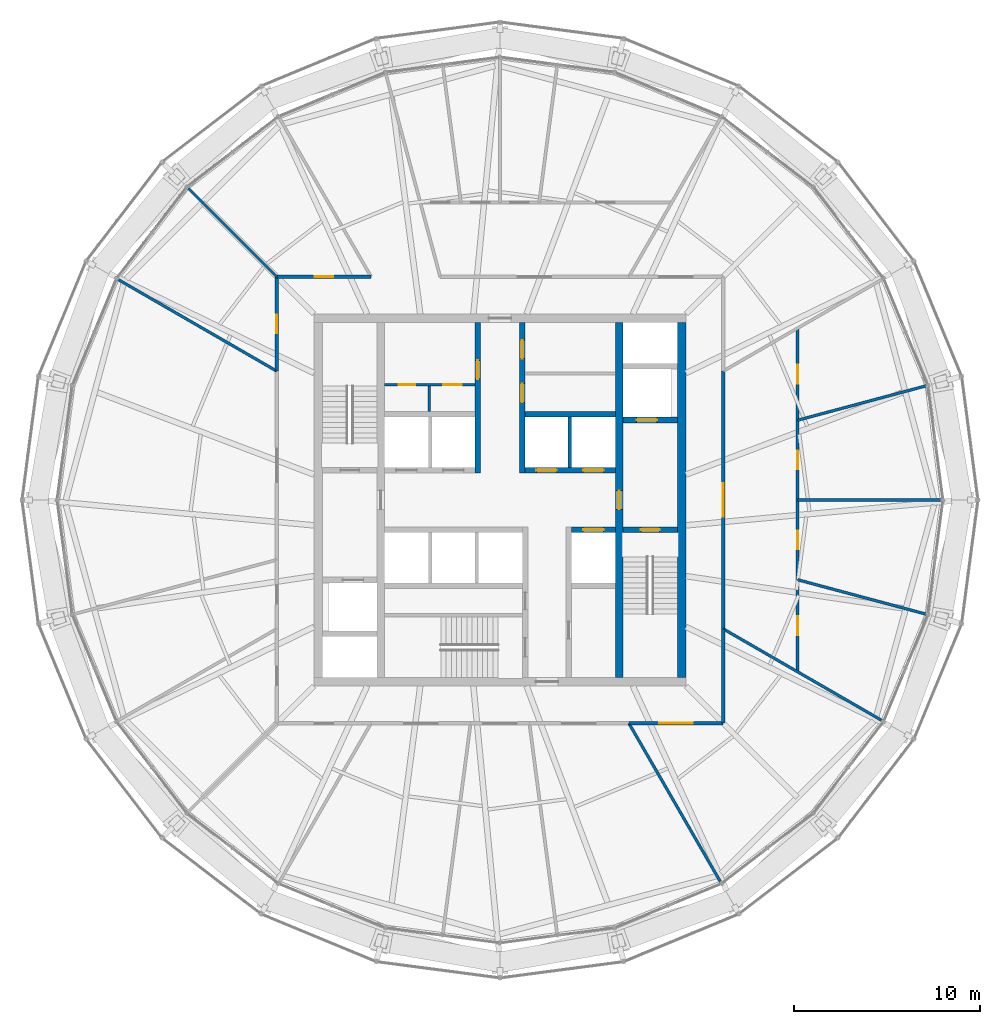
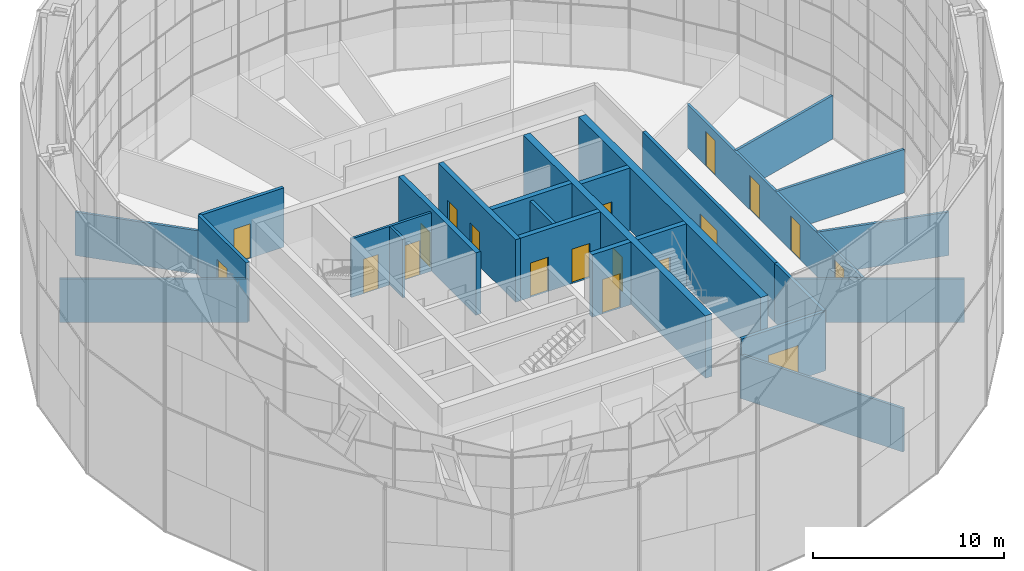
# One storey, part 26 of 28: 25 walls, 19 doors, 19 openings.
"""IFC4 building model written with IfcOpenShell, lengths in metres."""

from ifc_helpers import new_model, si_unit, direction, frame, frame_2d, origin, place, context, subcontext, project, spatial, rectangle, extrude, material, layer, layer_set, type_object, element, fill, save


model = new_model("IFC4")

# Units and contexts
model_context = context("Model", 3, precision=1e-05, world=origin(), true_north=direction((0.0, 1.0)))
body_context = subcontext(model_context, "Body", "Model", "MODEL_VIEW")
ifc_project = project(units=[si_unit("LENGTHUNIT", "METRE"), si_unit("AREAUNIT", "SQUARE_METRE"), si_unit("VOLUMEUNIT", "CUBIC_METRE"), si_unit("PLANEANGLEUNIT", "RADIAN"), si_unit("MASSUNIT", "GRAM", prefix="KILO")], contexts=[model_context])

# Site, building, storey
site_placement = place(None, origin())
site = spatial("IfcSite", under=ifc_project, at=site_placement, CompositionType="ELEMENT")
building_placement = place(site_placement, origin())
building = spatial("IfcBuilding", under=site, at=building_placement, Name="Golbaran Civic Tower", CompositionType="ELEMENT")
storey_placement = place(building_placement, frame((0.0, 0.0, 183.0)))
storey = spatial("IfcBuildingStorey", under=building, at=storey_placement, Name="L44", CompositionType="ELEMENT", Elevation=183.0)

# Wall, opening, door
ifc_material_1 = material(Name="Concrete C50/60", Category="concrete")
ifc_layer_1 = layer(ifc_material_1, 0.39990234375, Name="Concrete C50/60")
ifc_layer_set_1 = layer_set([ifc_layer_1], Name="Concrete C50/60")
wall_type_1 = type_object("IfcWallType", Name="CORE WALL CONCRETE 400", PredefinedType="SOLIDWALL", material=ifc_layer_set_1)
wall_1_placement = place(storey_placement, frame((6.39990234375, 9.550048828125, 0.0), z_axis=(0.0, 0.0, 1.0), x_axis=(0.0, -1.0, 0.0)))
wall_1 = element("IfcWall", 1, at=wall_1_placement, inside=storey, type_object=wall_type_1, Name="Core wall IE L44", PredefinedType="SOLIDWALL", context=body_context, shape_type="SweptSolid", body=[
    extrude(rectangle(XDim=19.10009765625, YDim=0.39990234375, at=frame_2d((9.550048828125, 0.0))), origin(), (0.0, 0.0, 1.0), 4.0),
])
opening_1_placement = place(wall_1_placement, frame((9.050048828125, 0.0, 0.0)))
opening_1 = element("IfcOpeningElement", 2, at=opening_1_placement, cuts=wall_1, Name="Opening L44.FL2", PredefinedType="OPENING", context=body_context, shape_type="SweptSolid", body=[
    extrude(rectangle(XDim=1.0, YDim=2.199951171875, at=frame_2d((0.5, 1.10009765625))), frame((0.0, 0.2099609375, 0.0), z_axis=(0.0, -1.0, 0.0), x_axis=(1.0, 0.0, 0.0)), (0.0, 0.0, 1.0), 0.419921875),
])
ifc_material_2 = material(Name="Timber door set in steel frame", Category="steel")
door_type_1 = type_object("IfcDoorType", Name="STAIR DOOR 1000x2200", OperationType="SINGLE_SWING_LEFT", PredefinedType="DOOR", material=ifc_material_2)
door_1_placement = place(opening_1_placement, origin())
door_1 = element("IfcDoor", 3, at=door_1_placement, inside=storey, type_object=door_type_1, Name="Fire-fighting lobby FL2 door", OperationType="SINGLE_SWING_RIGHT", OverallHeight=2.199951171875, OverallWidth=1.0, PredefinedType="DOOR", context=body_context, shape_type="SweptSolid", body=[
    extrude(rectangle(XDim=1.0, YDim=2.199951171875, at=frame_2d((0.5, 1.10009765625))), frame((0.0, 0.02490234375, 0.0), z_axis=(0.0, -1.0, 0.0), x_axis=(1.0, 0.0, 0.0)), (0.0, 0.0, 1.0), 0.050048828125),
])
fill(opening_1, door_1)

# Wall
ifc_layer_2 = layer(ifc_material_1, 0.449951171875, Name="Concrete C50/60")
ifc_layer_set_2 = layer_set([ifc_layer_2], Name="Concrete C50/60")
wall_type_2 = type_object("IfcWallType", Name="CORE WALL CONCRETE 450", PredefinedType="SOLIDWALL", material=ifc_layer_set_2)
wall_2_placement = place(storey_placement, frame((9.77490234375, -9.550048828125, 0.0), z_axis=(0.0, 0.0, 1.0), x_axis=(0.0, 1.0, 0.0)))
element("IfcWall", 4, at=wall_2_placement, inside=storey, type_object=wall_type_2, Name="Core wall CE L44", PredefinedType="SOLIDWALL", context=body_context, shape_type="SweptSolid", body=[
    extrude(rectangle(XDim=19.10009765625, YDim=0.449951171875, at=frame_2d((9.550048828125, 0.0))), origin(), (0.0, 0.0, 1.0), 4.0),
])

# Wall, opening, door
ifc_material_3 = material(Name="Gypsum board on steel studs, fire-rated", Category="steel")
ifc_layer_3 = layer(ifc_material_3, 0.199951171875, Name="Gypsum board on steel studs, fire-rated")
ifc_layer_set_3 = layer_set([ifc_layer_3], Name="Gypsum board on steel studs, fire-rated")
wall_type_3 = type_object("IfcWallType", Name="CORRIDOR WALL 200", PredefinedType="PARTITIONING", material=ifc_layer_set_3)
wall_3_placement = place(storey_placement, frame((12.0, -6.92822265625, 0.0), z_axis=(0.0, 0.0, 1.0), x_axis=(0.0, 1.0, 0.0)))
wall_3 = element("IfcWall", 5, at=wall_3_placement, inside=storey, type_object=wall_type_3, Name="Corridor wall L44", PredefinedType="PARTITIONING", context=body_context, shape_type="SweptSolid", body=[
    extrude(rectangle(XDim=13.8564453125, YDim=0.199951171875, at=frame_2d((6.92822265625, 0.0))), origin(), (0.0, 0.0, 1.0), 3.800048828125),
])
opening_2_placement = place(wall_3_placement, frame((6.0283203125, 0.0, 0.0)))
opening_2 = element("IfcOpeningElement", 6, at=opening_2_placement, cuts=wall_3, Name="Opening L44.09", PredefinedType="OPENING", context=body_context, shape_type="SweptSolid", body=[
    extrude(rectangle(XDim=1.800048828125, YDim=2.199951171875, at=frame_2d((0.89990234375, 1.10009765625))), frame((0.0, 0.10986328125, 0.0), z_axis=(0.0, -1.0, 0.0), x_axis=(1.0, 0.0, 0.0)), (0.0, 0.0, 1.0), 0.219970703125),
])
door_type_2 = type_object("IfcDoorType", Name="OFFICE DOUBLE DOOR 1800x2200", OperationType="DOUBLE_DOOR_SINGLE_SWING", PredefinedType="DOOR", material=ifc_material_2)
door_2_placement = place(opening_2_placement, origin())
door_2 = element("IfcDoor", 7, at=door_2_placement, inside=storey, type_object=door_type_2, Name="Open Office door L44", OperationType="DOUBLE_DOOR_SINGLE_SWING", OverallHeight=2.199951171875, OverallWidth=1.800048828125, PredefinedType="DOOR", context=body_context, shape_type="SweptSolid", body=[
    extrude(rectangle(XDim=1.800048828125, YDim=2.199951171875, at=frame_2d((0.89990234375, 1.10009765625))), frame((0.0, 0.02490234375, 0.0), z_axis=(0.0, -1.0, 0.0), x_axis=(1.0, 0.0, 0.0)), (0.0, 0.0, 1.0), 0.050048828125),
])
fill(opening_2, door_2)

wall_4_placement = place(storey_placement, frame((-6.92822265625, 12.0, 0.0), z_axis=(0.0, 0.0, 1.0), x_axis=(-1.0, 0.0, 0.0)))
wall_4 = element("IfcWall", 8, at=wall_4_placement, inside=storey, type_object=wall_type_3, Name="Corridor wall L44", PredefinedType="PARTITIONING", context=body_context, shape_type="SweptSolid", body=[
    extrude(rectangle(XDim=5.07177734375, YDim=0.199951171875, at=frame_2d((2.535888671875, 0.0))), origin(), (0.0, 0.0, 1.0), 3.800048828125),
])
opening_3_placement = place(wall_4_placement, frame((2.035888671875, 0.0, 0.0)))
opening_3 = element("IfcOpeningElement", 9, at=opening_3_placement, cuts=wall_4, Name="Opening L44.12", PredefinedType="OPENING", context=body_context, shape_type="SweptSolid", body=[
    extrude(rectangle(XDim=1.0, YDim=2.199951171875, at=frame_2d((0.5, 1.10009765625))), frame((0.0, 0.10986328125, 0.0), z_axis=(0.0, -1.0, 0.0), x_axis=(1.0, 0.0, 0.0)), (0.0, 0.0, 1.0), 0.219970703125),
])
door_type_3 = type_object("IfcDoorType", Name="OFFICE DOOR 1000x2200", OperationType="SINGLE_SWING_LEFT", PredefinedType="DOOR", material=ifc_material_2)
door_3_placement = place(opening_3_placement, origin())
door_3 = element("IfcDoor", 10, at=door_3_placement, inside=storey, type_object=door_type_3, Name="Meeting Room door L44", OperationType="SINGLE_SWING_RIGHT", OverallHeight=2.199951171875, OverallWidth=1.0, PredefinedType="DOOR", context=body_context, shape_type="SweptSolid", body=[
    extrude(rectangle(XDim=1.0, YDim=2.199951171875, at=frame_2d((0.5, 1.10009765625))), frame((0.0, 0.02490234375, 0.0), z_axis=(0.0, -1.0, 0.0), x_axis=(1.0, 0.0, 0.0)), (0.0, 0.0, 1.0), 0.050048828125),
])
fill(opening_3, door_3)

wall_5_placement = place(storey_placement, frame((-12.0, 12.0, 0.0), z_axis=(0.0, 0.0, 1.0), x_axis=(0.0, -1.0, 0.0)))
wall_5 = element("IfcWall", 11, at=wall_5_placement, inside=storey, type_object=wall_type_3, Name="Corridor wall L44", PredefinedType="PARTITIONING", context=body_context, shape_type="SweptSolid", body=[
    extrude(rectangle(XDim=5.07177734375, YDim=0.199951171875, at=frame_2d((2.535888671875, 0.0))), origin(), (0.0, 0.0, 1.0), 3.800048828125),
])
opening_4_placement = place(wall_5_placement, frame((2.035888671875, 0.0, 0.0)))
opening_4 = element("IfcOpeningElement", 12, at=opening_4_placement, cuts=wall_5, Name="Opening L44.13", PredefinedType="OPENING", context=body_context, shape_type="SweptSolid", body=[
    extrude(rectangle(XDim=1.0, YDim=2.199951171875, at=frame_2d((0.5, 1.10009765625))), frame((0.0, 0.10986328125, 0.0), z_axis=(0.0, -1.0, 0.0), x_axis=(1.0, 0.0, 0.0)), (0.0, 0.0, 1.0), 0.219970703125),
])
door_4_placement = place(opening_4_placement, origin())
door_4 = element("IfcDoor", 13, at=door_4_placement, inside=storey, type_object=door_type_3, Name="Print and Copy Room door L44", OperationType="SINGLE_SWING_RIGHT", OverallHeight=2.199951171875, OverallWidth=1.0, PredefinedType="DOOR", context=body_context, shape_type="SweptSolid", body=[
    extrude(rectangle(XDim=1.0, YDim=2.199951171875, at=frame_2d((0.5, 1.10009765625))), frame((0.0, 0.02490234375, 0.0), z_axis=(0.0, -1.0, 0.0), x_axis=(1.0, 0.0, 0.0)), (0.0, 0.0, 1.0), 0.050048828125),
])
fill(opening_4, door_4)

wall_6_placement = place(storey_placement, frame((6.92822265625, -12.0, 0.0), z_axis=(0.0, 0.0, 1.0), x_axis=(1.0, 0.0, 0.0)))
wall_6 = element("IfcWall", 14, at=wall_6_placement, inside=storey, type_object=wall_type_3, Name="Corridor wall L44", PredefinedType="PARTITIONING", context=body_context, shape_type="SweptSolid", body=[
    extrude(rectangle(XDim=5.07177734375, YDim=0.199951171875, at=frame_2d((2.535888671875, 0.0))), origin(), (0.0, 0.0, 1.0), 3.800048828125),
])
opening_5_placement = place(wall_6_placement, frame((1.635986328125, 0.0, 0.0)))
opening_5 = element("IfcOpeningElement", 15, at=opening_5_placement, cuts=wall_6, Name="Opening L44.21", PredefinedType="OPENING", context=body_context, shape_type="SweptSolid", body=[
    extrude(rectangle(XDim=1.800048828125, YDim=2.199951171875, at=frame_2d((0.89990234375, 1.10009765625))), frame((0.0, 0.10986328125, 0.0), z_axis=(0.0, -1.0, 0.0), x_axis=(1.0, 0.0, 0.0)), (0.0, 0.0, 1.0), 0.219970703125),
])
door_5_placement = place(opening_5_placement, origin())
door_5 = element("IfcDoor", 16, at=door_5_placement, inside=storey, type_object=door_type_2, Name="Open Office door L44", OperationType="DOUBLE_DOOR_SINGLE_SWING", OverallHeight=2.199951171875, OverallWidth=1.800048828125, PredefinedType="DOOR", context=body_context, shape_type="SweptSolid", body=[
    extrude(rectangle(XDim=1.800048828125, YDim=2.199951171875, at=frame_2d((0.89990234375, 1.10009765625))), frame((0.0, 0.02490234375, 0.0), z_axis=(0.0, -1.0, 0.0), x_axis=(1.0, 0.0, 0.0)), (0.0, 0.0, 1.0), 0.050048828125),
])
fill(opening_5, door_5)

# Walls
wall_7_placement = place(storey_placement, frame((12.0, -12.0, 0.0), z_axis=(0.0, 0.0, 1.0), x_axis=(0.0, 1.0, 0.0)))
element("IfcWall", 17, at=wall_7_placement, inside=storey, type_object=wall_type_3, Name="Corridor wall L44", PredefinedType="PARTITIONING", context=body_context, shape_type="SweptSolid", body=[
    extrude(rectangle(XDim=5.07177734375, YDim=0.199951171875, at=frame_2d((2.535888671875, 0.0))), origin(), (0.0, 0.0, 1.0), 3.800048828125),
])
ifc_material_4 = material(Name="Concrete block", Category="concrete")
ifc_layer_4 = layer(ifc_material_4, 0.199951171875, Name="Concrete block")
ifc_layer_set_4 = layer_set([ifc_layer_4], Name="Concrete block")
wall_type_4 = type_object("IfcWallType", Name="LIFT SEPARATOR WALL 200", PredefinedType="SOLIDWALL", material=ifc_layer_set_4)
wall_8_placement = place(storey_placement, frame((3.75, 1.75, 0.0), z_axis=(0.0, 0.0, 1.0), x_axis=(0.0, 1.0, 0.0)))
element("IfcWall", 18, at=wall_8_placement, inside=storey, type_object=wall_type_4, Name="Core partition SNE L44", PredefinedType="SOLIDWALL", context=body_context, shape_type="SweptSolid", body=[
    extrude(rectangle(XDim=2.699951171875, YDim=0.199951171875, at=frame_2d((1.35009765625, 0.0))), origin(), (0.0, 0.0, 1.0), 3.75),
])
ifc_material_5 = material(Name="Gypsum board on steel studs", Category="steel")
ifc_layer_5 = layer(ifc_material_5, 0.14990234375, Name="Gypsum board on steel studs")
ifc_layer_set_5 = layer_set([ifc_layer_5], Name="Gypsum board on steel studs")
wall_type_5 = type_object("IfcWallType", Name="OFFICE PARTITION 150", PredefinedType="PARTITIONING", material=ifc_layer_set_5)
wall_9_placement = place(storey_placement, frame((12.0, -6.92822265625, 0.0), z_axis=(0.0, 0.0, 1.0), x_axis=(0.866027739639, -0.49999595416, 0.0)))
element("IfcWall", 19, at=wall_9_placement, inside=storey, type_object=wall_type_5, Name="Partition 330 L44", PredefinedType="PARTITIONING", context=body_context, shape_type="SweptSolid", body=[
    extrude(rectangle(XDim=9.86474609375, YDim=0.14990234375, at=frame_2d((4.932373046875, 0.0))), origin(), (0.0, 0.0, 1.0), 2.7900390625),
])
wall_10_placement = place(storey_placement, frame((-12.0, 12.0, 0.0), z_axis=(0.0, 0.0, 1.0), x_axis=(-0.707106781187, 0.707106781187, 0.0)))
element("IfcWall", 20, at=wall_10_placement, inside=storey, type_object=wall_type_5, Name="Partition 135 L44", PredefinedType="PARTITIONING", context=body_context, shape_type="SweptSolid", body=[
    extrude(rectangle(XDim=6.750732421875, YDim=0.14990234375, at=frame_2d((3.37548828125, 0.0))), origin(), (0.0, 0.0, 1.0), 2.7900390625),
])
for number, where, z_axis, x_axis, name in (
    (21, (-12.0, 6.92822265625, 0.0), (0.0, 0.0, 1.0), (-0.866027739639, 0.49999595416, 0.0), "Partition 150 L44"),
    (22, (6.92822265625, -12.0, 0.0), (0.0, 0.0, 1.0), (0.49999595416, -0.866027739639, 0.0), "Partition 300 L44"),
):
    element("IfcWall", number, at=place(storey_placement, frame(where, z_axis=z_axis, x_axis=x_axis)), inside=storey, type_object=wall_type_5, Name=name, PredefinedType="PARTITIONING", context=body_context, shape_type="SweptSolid", body=[
        extrude(rectangle(XDim=9.86474609375, YDim=0.14990234375, at=frame_2d((4.932373046875, 0.0))), origin(), (0.0, 0.0, 1.0), 2.7900390625),
    ])

# Wall, openings, doors
wall_11_placement = place(storey_placement, frame((16.0, -9.237548828125, 0.0), z_axis=(0.0, 0.0, 1.0), x_axis=(0.0, 1.0, 0.0)))
wall_11 = element("IfcWall", 23, at=wall_11_placement, inside=storey, type_object=wall_type_5, Name="Suite partition L44", PredefinedType="PARTITIONING", context=body_context, shape_type="SweptSolid", body=[
    extrude(rectangle(XDim=18.47509765625, YDim=0.14990234375, at=frame_2d((9.237548828125, 0.0))), origin(), (0.0, 0.0, 1.0), 2.7900390625),
])
opening_6_placement = place(wall_11_placement, frame((1.97509765625, 0.0, 0.0)))
opening_6 = element("IfcOpeningElement", 24, at=opening_6_placement, cuts=wall_11, Name="Opening L44.01", PredefinedType="OPENING", context=body_context, shape_type="SweptSolid", body=[
    extrude(rectangle(XDim=1.0, YDim=2.199951171875, at=frame_2d((0.5, 1.10009765625))), frame((0.0, 0.0849609375, 0.0), z_axis=(0.0, -1.0, 0.0), x_axis=(1.0, 0.0, 0.0)), (0.0, 0.0, 1.0), 0.169921875),
])
opening_7_placement = place(wall_11_placement, frame((6.593994140625, 0.0, 0.0)))
opening_7 = element("IfcOpeningElement", 25, at=opening_7_placement, cuts=wall_11, Name="Opening L44.02", PredefinedType="OPENING", context=body_context, shape_type="SweptSolid", body=[
    extrude(rectangle(XDim=1.0, YDim=2.199951171875, at=frame_2d((0.5, 1.10009765625))), frame((0.0, 0.0849609375, 0.0), z_axis=(0.0, -1.0, 0.0), x_axis=(1.0, 0.0, 0.0)), (0.0, 0.0, 1.0), 0.169921875),
])
opening_8_placement = place(wall_11_placement, frame((10.881103515625, 0.0, 0.0)))
opening_8 = element("IfcOpeningElement", 26, at=opening_8_placement, cuts=wall_11, Name="Opening L44.03", PredefinedType="OPENING", context=body_context, shape_type="SweptSolid", body=[
    extrude(rectangle(XDim=1.0, YDim=2.199951171875, at=frame_2d((0.5, 1.10009765625))), frame((0.0, 0.0849609375, 0.0), z_axis=(0.0, -1.0, 0.0), x_axis=(1.0, 0.0, 0.0)), (0.0, 0.0, 1.0), 0.169921875),
])
opening_9_placement = place(wall_11_placement, frame((15.5, 0.0, 0.0)))
opening_9 = element("IfcOpeningElement", 27, at=opening_9_placement, cuts=wall_11, Name="Opening L44.04", PredefinedType="OPENING", context=body_context, shape_type="SweptSolid", body=[
    extrude(rectangle(XDim=1.0, YDim=2.199951171875, at=frame_2d((0.5, 1.10009765625))), frame((0.0, 0.0849609375, 0.0), z_axis=(0.0, -1.0, 0.0), x_axis=(1.0, 0.0, 0.0)), (0.0, 0.0, 1.0), 0.169921875),
])
door_6_placement = place(opening_6_placement, origin())
door_6 = element("IfcDoor", 28, at=door_6_placement, inside=storey, type_object=door_type_3, Name="Office door L44", OperationType="SINGLE_SWING_LEFT", OverallHeight=2.199951171875, OverallWidth=1.0, PredefinedType="DOOR", context=body_context, shape_type="SweptSolid", body=[
    extrude(rectangle(XDim=1.0, YDim=2.199951171875, at=frame_2d((0.5, 1.10009765625))), frame((0.0, 0.02490234375, 0.0), z_axis=(0.0, -1.0, 0.0), x_axis=(1.0, 0.0, 0.0)), (0.0, 0.0, 1.0), 0.050048828125),
])
fill(opening_6, door_6)
door_7_placement = place(opening_7_placement, origin())
door_7 = element("IfcDoor", 29, at=door_7_placement, inside=storey, type_object=door_type_3, Name="Project Room door L44", OperationType="SINGLE_SWING_LEFT", OverallHeight=2.199951171875, OverallWidth=1.0, PredefinedType="DOOR", context=body_context, shape_type="SweptSolid", body=[
    extrude(rectangle(XDim=1.0, YDim=2.199951171875, at=frame_2d((0.5, 1.10009765625))), frame((0.0, 0.02490234375, 0.0), z_axis=(0.0, -1.0, 0.0), x_axis=(1.0, 0.0, 0.0)), (0.0, 0.0, 1.0), 0.050048828125),
])
fill(opening_7, door_7)
door_8_placement = place(opening_8_placement, origin())
door_8 = element("IfcDoor", 30, at=door_8_placement, inside=storey, type_object=door_type_3, Name="Office door L44", OperationType="SINGLE_SWING_RIGHT", OverallHeight=2.199951171875, OverallWidth=1.0, PredefinedType="DOOR", context=body_context, shape_type="SweptSolid", body=[
    extrude(rectangle(XDim=1.0, YDim=2.199951171875, at=frame_2d((0.5, 1.10009765625))), frame((0.0, 0.02490234375, 0.0), z_axis=(0.0, -1.0, 0.0), x_axis=(1.0, 0.0, 0.0)), (0.0, 0.0, 1.0), 0.050048828125),
])
fill(opening_8, door_8)
door_9_placement = place(opening_9_placement, origin())
door_9 = element("IfcDoor", 31, at=door_9_placement, inside=storey, type_object=door_type_3, Name="Meeting Room door L44", OperationType="SINGLE_SWING_RIGHT", OverallHeight=2.199951171875, OverallWidth=1.0, PredefinedType="DOOR", context=body_context, shape_type="SweptSolid", body=[
    extrude(rectangle(XDim=1.0, YDim=2.199951171875, at=frame_2d((0.5, 1.10009765625))), frame((0.0, 0.02490234375, 0.0), z_axis=(0.0, -1.0, 0.0), x_axis=(1.0, 0.0, 0.0)), (0.0, 0.0, 1.0), 0.050048828125),
])
fill(opening_9, door_9)

# Walls
wall_12_placement = place(storey_placement, frame((16.0, -4.287109375, 0.0), z_axis=(0.0, 0.0, 1.0), x_axis=(0.965925667522, -0.25881963763, 0.0)))
element("IfcWall", 32, at=wall_12_placement, inside=storey, type_object=wall_type_5, Name="Partition 345 L44", PredefinedType="PARTITIONING", context=body_context, shape_type="SweptSolid", body=[
    extrude(rectangle(XDim=7.15673828125, YDim=0.14990234375, at=frame_2d((3.578369140625, 0.0))), origin(), (0.0, 0.0, 1.0), 2.7900390625),
])
wall_13_placement = place(storey_placement, frame((16.0, 0.0, 0.0), z_axis=(0.0, 0.0, 1.0), x_axis=(1.0, 0.0, 0.0)))
element("IfcWall", 33, at=wall_13_placement, inside=storey, type_object=wall_type_5, Name="Partition 0 L44", PredefinedType="PARTITIONING", context=body_context, shape_type="SweptSolid", body=[
    extrude(rectangle(XDim=7.72119140625, YDim=0.14990234375, at=frame_2d((3.860595703125, 0.0))), origin(), (0.0, 0.0, 1.0), 2.7900390625),
])
wall_14_placement = place(storey_placement, frame((16.0, 4.287109375, 0.0), z_axis=(0.0, 0.0, 1.0), x_axis=(0.965925667522, 0.25881963763, 0.0)))
element("IfcWall", 34, at=wall_14_placement, inside=storey, type_object=wall_type_5, Name="Partition 15 L44", PredefinedType="PARTITIONING", context=body_context, shape_type="SweptSolid", body=[
    extrude(rectangle(XDim=7.15673828125, YDim=0.14990234375, at=frame_2d((3.578369140625, 0.0))), origin(), (0.0, 0.0, 1.0), 2.7900390625),
])

# Wall, openings, doors
ifc_layer_6 = layer(ifc_material_1, 0.300048828125, Name="Concrete C50/60")
ifc_layer_set_6 = layer_set([ifc_layer_6], Name="Concrete C50/60")
wall_type_6 = type_object("IfcWallType", Name="SHAFT WALL CONCRETE 300", PredefinedType="SOLIDWALL", material=ifc_layer_set_6)
wall_15_placement = place(storey_placement, frame((1.35009765625, 1.60009765625, 0.0), z_axis=(0.0, 0.0, 1.0), x_axis=(1.0, 0.0, 0.0)))
wall_15 = element("IfcWall", 35, at=wall_15_placement, inside=storey, type_object=wall_type_6, Name="Core wall FNE L44", PredefinedType="SOLIDWALL", context=body_context, shape_type="SweptSolid", body=[
    extrude(rectangle(XDim=4.849853515625, YDim=0.300048828125, at=frame_2d((2.4248046875, 0.0))), origin(), (0.0, 0.0, 1.0), 4.0),
])
opening_10_placement = place(wall_15_placement, frame((0.60009765625, 0.0, 0.0)))
opening_10 = element("IfcOpeningElement", 36, at=opening_10_placement, cuts=wall_15, Name="Opening L44.LD-Z3H", PredefinedType="OPENING", context=body_context, shape_type="SweptSolid", body=[
    extrude(rectangle(XDim=1.10009765625, YDim=2.199951171875, at=frame_2d((0.550048828125, 1.10009765625))), frame((0.0, 0.159912109375, 0.0), z_axis=(0.0, -1.0, 0.0), x_axis=(1.0, 0.0, 0.0)), (0.0, 0.0, 1.0), 0.320068359375),
])
opening_11_placement = place(wall_15_placement, frame((3.125, 0.0, 0.0)))
opening_11 = element("IfcOpeningElement", 37, at=opening_11_placement, cuts=wall_15, Name="Opening L44.LD-Z4H", PredefinedType="OPENING", context=body_context, shape_type="SweptSolid", body=[
    extrude(rectangle(XDim=1.10009765625, YDim=2.199951171875, at=frame_2d((0.550048828125, 1.10009765625))), frame((0.0, 0.159912109375, 0.0), z_axis=(0.0, -1.0, 0.0), x_axis=(1.0, 0.0, 0.0)), (0.0, 0.0, 1.0), 0.320068359375),
])
ifc_material_6 = material(Name="Stainless steel", Category="steel")
door_type_4 = type_object("IfcDoorType", Name="LIFT LANDING DOOR 1100x2200", OperationType="SLIDING_TO_LEFT", PredefinedType="DOOR", material=ifc_material_6)
door_10_placement = place(opening_10_placement, origin())
door_10 = element("IfcDoor", 38, at=door_10_placement, inside=storey, type_object=door_type_4, Name="Lift landing door Z3H", OperationType="SLIDING_TO_LEFT", OverallHeight=2.199951171875, OverallWidth=1.10009765625, PredefinedType="DOOR", context=body_context, shape_type="SweptSolid", body=[
    extrude(rectangle(XDim=1.10009765625, YDim=2.199951171875, at=frame_2d((0.550048828125, 1.10009765625))), frame((0.0, 0.02490234375, 0.0), z_axis=(0.0, -1.0, 0.0), x_axis=(1.0, 0.0, 0.0)), (0.0, 0.0, 1.0), 0.050048828125),
])
fill(opening_10, door_10)
door_11_placement = place(opening_11_placement, origin())
door_11 = element("IfcDoor", 39, at=door_11_placement, inside=storey, type_object=door_type_4, Name="Lift landing door Z4H", OperationType="SLIDING_TO_LEFT", OverallHeight=2.199951171875, OverallWidth=1.10009765625, PredefinedType="DOOR", context=body_context, shape_type="SweptSolid", body=[
    extrude(rectangle(XDim=1.10009765625, YDim=2.199951171875, at=frame_2d((0.550048828125, 1.10009765625))), frame((0.0, 0.02490234375, 0.0), z_axis=(0.0, -1.0, 0.0), x_axis=(1.0, 0.0, 0.0)), (0.0, 0.0, 1.0), 0.050048828125),
])
fill(opening_11, door_11)

# Wall
wall_16_placement = place(storey_placement, frame((1.35009765625, 4.60009765625, 0.0), z_axis=(0.0, 0.0, 1.0), x_axis=(1.0, 0.0, 0.0)))
element("IfcWall", 40, at=wall_16_placement, inside=storey, type_object=wall_type_6, Name="Core wall BNE L44", PredefinedType="SOLIDWALL", context=body_context, shape_type="SweptSolid", body=[
    extrude(rectangle(XDim=4.849853515625, YDim=0.300048828125, at=frame_2d((2.4248046875, 0.0))), origin(), (0.0, 0.0, 1.0), 4.0),
])

# Wall, opening, door
wall_17_placement = place(storey_placement, frame((-1.199951171875, 1.449951171875, 0.0), z_axis=(0.0, 0.0, 1.0), x_axis=(0.0, 1.0, 0.0)))
wall_17 = element("IfcWall", 41, at=wall_17_placement, inside=storey, type_object=wall_type_6, Name="Core wall PNW L44", PredefinedType="SOLIDWALL", context=body_context, shape_type="SweptSolid", body=[
    extrude(rectangle(XDim=8.10009765625, YDim=0.300048828125, at=frame_2d((4.050048828125, 0.0))), origin(), (0.0, 0.0, 1.0), 4.0),
])
opening_12_placement = place(wall_17_placement, frame((5.050048828125, 0.0, 0.0)))
opening_12 = element("IfcOpeningElement", 42, at=opening_12_placement, cuts=wall_17, Name="Opening L44.WCM", PredefinedType="OPENING", context=body_context, shape_type="SweptSolid", body=[
    extrude(rectangle(XDim=1.0, YDim=2.199951171875, at=frame_2d((0.5, 1.10009765625))), frame((0.0, 0.159912109375, 0.0), z_axis=(0.0, -1.0, 0.0), x_axis=(1.0, 0.0, 0.0)), (0.0, 0.0, 1.0), 0.320068359375),
])
door_type_5 = type_object("IfcDoorType", Name="TOILET DOOR 1000x2200", OperationType="SINGLE_SWING_LEFT", PredefinedType="DOOR", material=ifc_material_2)
door_12_placement = place(opening_12_placement, origin())
door_12 = element("IfcDoor", 43, at=door_12_placement, inside=storey, type_object=door_type_5, Name="North-west toilet block door", OperationType="SINGLE_SWING_RIGHT", OverallHeight=2.199951171875, OverallWidth=1.0, PredefinedType="DOOR", context=body_context, shape_type="SweptSolid", body=[
    extrude(rectangle(XDim=1.0, YDim=2.199951171875, at=frame_2d((0.5, 1.10009765625))), frame((0.0, 0.02490234375, 0.0), z_axis=(0.0, -1.0, 0.0), x_axis=(1.0, 0.0, 0.0)), (0.0, 0.0, 1.0), 0.050048828125),
])
fill(opening_12, door_12)

# Wall, openings, doors
wall_18_placement = place(storey_placement, frame((1.199951171875, 1.449951171875, 0.0), z_axis=(0.0, 0.0, 1.0), x_axis=(0.0, 1.0, 0.0)))
wall_18 = element("IfcWall", 44, at=wall_18_placement, inside=storey, type_object=wall_type_6, Name="Core wall PNE L44", PredefinedType="SOLIDWALL", context=body_context, shape_type="SweptSolid", body=[
    extrude(rectangle(XDim=8.10009765625, YDim=0.300048828125, at=frame_2d((4.050048828125, 0.0))), origin(), (0.0, 0.0, 1.0), 4.0),
])
opening_13_placement = place(wall_18_placement, frame((3.800048828125, 0.0, 0.0)))
opening_13 = element("IfcOpeningElement", 45, at=opening_13_placement, cuts=wall_18, Name="Opening L44.WCA", PredefinedType="OPENING", context=body_context, shape_type="SweptSolid", body=[
    extrude(rectangle(XDim=1.0, YDim=2.199951171875, at=frame_2d((0.5, 1.10009765625))), frame((0.0, 0.159912109375, 0.0), z_axis=(0.0, -1.0, 0.0), x_axis=(1.0, 0.0, 0.0)), (0.0, 0.0, 1.0), 0.320068359375),
])
opening_14_placement = place(wall_18_placement, frame((6.14990234375, 0.0, 0.0)))
opening_14 = element("IfcOpeningElement", 46, at=opening_14_placement, cuts=wall_18, Name="Opening L44.WCF", PredefinedType="OPENING", context=body_context, shape_type="SweptSolid", body=[
    extrude(rectangle(XDim=1.0, YDim=2.199951171875, at=frame_2d((0.5, 1.10009765625))), frame((0.0, 0.159912109375, 0.0), z_axis=(0.0, -1.0, 0.0), x_axis=(1.0, 0.0, 0.0)), (0.0, 0.0, 1.0), 0.320068359375),
])
door_13_placement = place(opening_13_placement, origin())
door_13 = element("IfcDoor", 47, at=door_13_placement, inside=storey, type_object=door_type_5, Name="Accessible WC door", OperationType="SINGLE_SWING_RIGHT", OverallHeight=2.199951171875, OverallWidth=1.0, PredefinedType="DOOR", context=body_context, shape_type="SweptSolid", body=[
    extrude(rectangle(XDim=1.0, YDim=2.199951171875, at=frame_2d((0.5, 1.10009765625))), frame((0.0, 0.02490234375, 0.0), z_axis=(0.0, -1.0, 0.0), x_axis=(1.0, 0.0, 0.0)), (0.0, 0.0, 1.0), 0.050048828125),
])
fill(opening_13, door_13)
door_14_placement = place(opening_14_placement, origin())
door_14 = element("IfcDoor", 48, at=door_14_placement, inside=storey, type_object=door_type_5, Name="North-east toilet block door", OperationType="SINGLE_SWING_RIGHT", OverallHeight=2.199951171875, OverallWidth=1.0, PredefinedType="DOOR", context=body_context, shape_type="SweptSolid", body=[
    extrude(rectangle(XDim=1.0, YDim=2.199951171875, at=frame_2d((0.5, 1.10009765625))), frame((0.0, 0.02490234375, 0.0), z_axis=(0.0, -1.0, 0.0), x_axis=(1.0, 0.0, 0.0)), (0.0, 0.0, 1.0), 0.050048828125),
])
fill(opening_14, door_14)

# Wall, opening, door
wall_19_placement = place(storey_placement, frame((3.85009765625, -1.60009765625, 0.0), z_axis=(0.0, 0.0, 1.0), x_axis=(1.0, 0.0, 0.0)))
wall_19 = element("IfcWall", 49, at=wall_19_placement, inside=storey, type_object=wall_type_6, Name="Core wall FSE L44", PredefinedType="SOLIDWALL", context=body_context, shape_type="SweptSolid", body=[
    extrude(rectangle(XDim=2.349853515625, YDim=0.300048828125, at=frame_2d((1.1748046875, 0.0))), origin(), (0.0, 0.0, 1.0), 4.0),
])
opening_15_placement = place(wall_19_placement, frame((0.625, 0.0, 0.0)))
opening_15 = element("IfcOpeningElement", 50, at=opening_15_placement, cuts=wall_19, Name="Opening L44.LD-V1", PredefinedType="OPENING", context=body_context, shape_type="SweptSolid", body=[
    extrude(rectangle(XDim=1.10009765625, YDim=2.199951171875, at=frame_2d((0.550048828125, 1.10009765625))), frame((0.0, 0.159912109375, 0.0), z_axis=(0.0, -1.0, 0.0), x_axis=(1.0, 0.0, 0.0)), (0.0, 0.0, 1.0), 0.320068359375),
])
door_15_placement = place(opening_15_placement, origin())
door_15 = element("IfcDoor", 51, at=door_15_placement, inside=storey, type_object=door_type_4, Name="Lift landing door V1", OperationType="SLIDING_TO_LEFT", OverallHeight=2.199951171875, OverallWidth=1.10009765625, PredefinedType="DOOR", context=body_context, shape_type="SweptSolid", body=[
    extrude(rectangle(XDim=1.10009765625, YDim=2.199951171875, at=frame_2d((0.550048828125, 1.10009765625))), frame((0.0, 0.02490234375, 0.0), z_axis=(0.0, -1.0, 0.0), x_axis=(1.0, 0.0, 0.0)), (0.0, 0.0, 1.0), 0.050048828125),
])
fill(opening_15, door_15)

wall_20_placement = place(storey_placement, frame((6.60009765625, -1.60009765625, 0.0), z_axis=(0.0, 0.0, 1.0), x_axis=(1.0, 0.0, 0.0)))
wall_20 = element("IfcWall", 52, at=wall_20_placement, inside=storey, type_object=wall_type_6, Name="Core wall XE1 L44", PredefinedType="SOLIDWALL", context=body_context, shape_type="SweptSolid", body=[
    extrude(rectangle(XDim=2.949951171875, YDim=0.300048828125, at=frame_2d((1.47509765625, 0.0))), origin(), (0.0, 0.0, 1.0), 4.0),
])
opening_16_placement = place(wall_20_placement, frame((0.97509765625, 0.0, 0.0)))
opening_16 = element("IfcOpeningElement", 53, at=opening_16_placement, cuts=wall_20, Name="Opening L44.S2", PredefinedType="OPENING", context=body_context, shape_type="SweptSolid", body=[
    extrude(rectangle(XDim=1.0, YDim=2.199951171875, at=frame_2d((0.5, 1.10009765625))), frame((0.0, 0.159912109375, 0.0), z_axis=(0.0, -1.0, 0.0), x_axis=(1.0, 0.0, 0.0)), (0.0, 0.0, 1.0), 0.320068359375),
])
door_16_placement = place(opening_16_placement, origin())
door_16 = element("IfcDoor", 54, at=door_16_placement, inside=storey, type_object=door_type_1, Name="Stair S2 door", OperationType="SINGLE_SWING_LEFT", OverallHeight=2.199951171875, OverallWidth=1.0, PredefinedType="DOOR", context=body_context, shape_type="SweptSolid", body=[
    extrude(rectangle(XDim=1.0, YDim=2.199951171875, at=frame_2d((0.5, 1.10009765625))), frame((0.0, 0.02490234375, 0.0), z_axis=(0.0, -1.0, 0.0), x_axis=(1.0, 0.0, 0.0)), (0.0, 0.0, 1.0), 0.050048828125),
])
fill(opening_16, door_16)

wall_21_placement = place(storey_placement, frame((6.60009765625, 4.300048828125, 0.0), z_axis=(0.0, 0.0, 1.0), x_axis=(1.0, 0.0, 0.0)))
wall_21 = element("IfcWall", 55, at=wall_21_placement, inside=storey, type_object=wall_type_6, Name="Core wall XE2 L44", PredefinedType="SOLIDWALL", context=body_context, shape_type="SweptSolid", body=[
    extrude(rectangle(XDim=2.949951171875, YDim=0.300048828125, at=frame_2d((1.47509765625, 0.0))), origin(), (0.0, 0.0, 1.0), 4.0),
])
opening_17_placement = place(wall_21_placement, frame((0.75, 0.0, 0.0)))
opening_17 = element("IfcOpeningElement", 56, at=opening_17_placement, cuts=wall_21, Name="Opening L44.LD-F2", PredefinedType="OPENING", context=body_context, shape_type="SweptSolid", body=[
    extrude(rectangle(XDim=1.10009765625, YDim=2.199951171875, at=frame_2d((0.550048828125, 1.10009765625))), frame((0.0, 0.159912109375, 0.0), z_axis=(0.0, -1.0, 0.0), x_axis=(1.0, 0.0, 0.0)), (0.0, 0.0, 1.0), 0.320068359375),
])
door_17_placement = place(opening_17_placement, origin())
door_17 = element("IfcDoor", 57, at=door_17_placement, inside=storey, type_object=door_type_4, Name="Lift landing door F2", OperationType="SLIDING_TO_LEFT", OverallHeight=2.199951171875, OverallWidth=1.10009765625, PredefinedType="DOOR", context=body_context, shape_type="SweptSolid", body=[
    extrude(rectangle(XDim=1.10009765625, YDim=2.199951171875, at=frame_2d((0.550048828125, 1.10009765625))), frame((0.0, 0.02490234375, 0.0), z_axis=(0.0, -1.0, 0.0), x_axis=(1.0, 0.0, 0.0)), (0.0, 0.0, 1.0), 0.050048828125),
])
fill(opening_17, door_17)

# Wall, openings, doors
ifc_material_7 = material(Name="Moisture-resistant gypsum board on steel studs", Category="steel")
ifc_layer_7 = layer(ifc_material_7, 0.14990234375, Name="Moisture-resistant gypsum board on steel studs")
ifc_layer_set_7 = layer_set([ifc_layer_7], Name="Moisture-resistant gypsum board on steel studs")
wall_type_7 = type_object("IfcWallType", Name="TOILET BLOCK PARTITION 150", PredefinedType="PARTITIONING", material=ifc_layer_set_7)
wall_22_placement = place(storey_placement, frame((-6.199951171875, 6.199951171875, 0.0), z_axis=(0.0, 0.0, 1.0), x_axis=(1.0, 0.0, 0.0)))
wall_22 = element("IfcWall", 58, at=wall_22_placement, inside=storey, type_object=wall_type_7, Name="Toilet block partition MSH L44", PredefinedType="PARTITIONING", context=body_context, shape_type="SweptSolid", body=[
    extrude(rectangle(XDim=4.849853515625, YDim=0.14990234375, at=frame_2d((2.4248046875, 0.0))), origin(), (0.0, 0.0, 1.0), 3.75),
])
opening_18_placement = place(wall_22_placement, frame((3.14990234375, 0.0, 0.0)))
opening_18 = element("IfcOpeningElement", 59, at=opening_18_placement, cuts=wall_22, Name="Opening L44.22", PredefinedType="OPENING", context=body_context, shape_type="SweptSolid", body=[
    extrude(rectangle(XDim=1.0, YDim=2.199951171875, at=frame_2d((0.5, 1.10009765625))), frame((0.0, 0.0849609375, 0.0), z_axis=(0.0, -1.0, 0.0), x_axis=(1.0, 0.0, 0.0)), (0.0, 0.0, 1.0), 0.169921875),
])
opening_19_placement = place(wall_22_placement, frame((0.75, 0.0, 0.0)))
opening_19 = element("IfcOpeningElement", 60, at=opening_19_placement, cuts=wall_22, Name="Opening L44.23", PredefinedType="OPENING", context=body_context, shape_type="SweptSolid", body=[
    extrude(rectangle(XDim=0.89990234375, YDim=2.199951171875, at=frame_2d((0.449951171875, 1.10009765625))), frame((0.0, 0.0849609375, 0.0), z_axis=(0.0, -1.0, 0.0), x_axis=(1.0, 0.0, 0.0)), (0.0, 0.0, 1.0), 0.169921875),
])
door_type_6 = type_object("IfcDoorType", Name="RISER DOOR 900x2200", OperationType="SINGLE_SWING_LEFT", PredefinedType="DOOR", material=ifc_material_2)
door_18_placement = place(opening_19_placement, origin())
door_18 = element("IfcDoor", 61, at=door_18_placement, inside=storey, type_object=door_type_6, Name="Cleaner's store door", OperationType="SINGLE_SWING_LEFT", OverallHeight=2.199951171875, OverallWidth=0.89990234375, PredefinedType="DOOR", context=body_context, shape_type="SweptSolid", body=[
    extrude(rectangle(XDim=0.89990234375, YDim=2.199951171875, at=frame_2d((0.449951171875, 1.10009765625))), frame((0.0, 0.02490234375, 0.0), z_axis=(0.0, -1.0, 0.0), x_axis=(1.0, 0.0, 0.0)), (0.0, 0.0, 1.0), 0.050048828125),
])
fill(opening_19, door_18)
door_19_placement = place(opening_18_placement, origin())
door_19 = element("IfcDoor", 62, at=door_19_placement, inside=storey, type_object=door_type_5, Name="Male shower room door", OperationType="SINGLE_SWING_RIGHT", OverallHeight=2.199951171875, OverallWidth=1.0, PredefinedType="DOOR", context=body_context, shape_type="SweptSolid", body=[
    extrude(rectangle(XDim=1.0, YDim=2.199951171875, at=frame_2d((0.5, 1.10009765625))), frame((0.0, 0.02490234375, 0.0), z_axis=(0.0, -1.0, 0.0), x_axis=(1.0, 0.0, 0.0)), (0.0, 0.0, 1.0), 0.050048828125),
])
fill(opening_18, door_19)

# Wall
wall_23_placement = place(storey_placement, frame((-3.800048828125, 4.75, 0.0), z_axis=(0.0, 0.0, 1.0), x_axis=(0.0, 1.0, 0.0)))
element("IfcWall", 63, at=wall_23_placement, inside=storey, type_object=wall_type_7, Name="Toilet block partition MST L44", PredefinedType="PARTITIONING", context=body_context, shape_type="SweptSolid", body=[
    extrude(rectangle(XDim=1.375, YDim=0.14990234375, at=frame_2d((0.6875, 0.0))), origin(), (0.0, 0.0, 1.0), 3.75),
])

save(model, "model.ifc")
